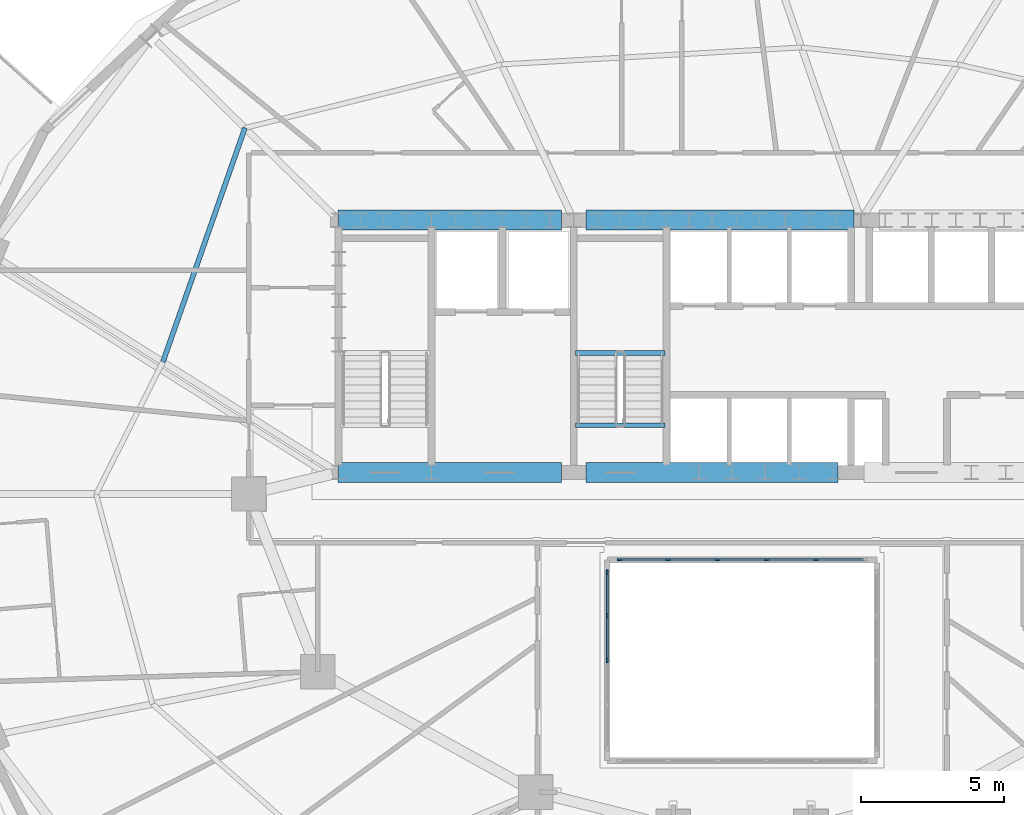
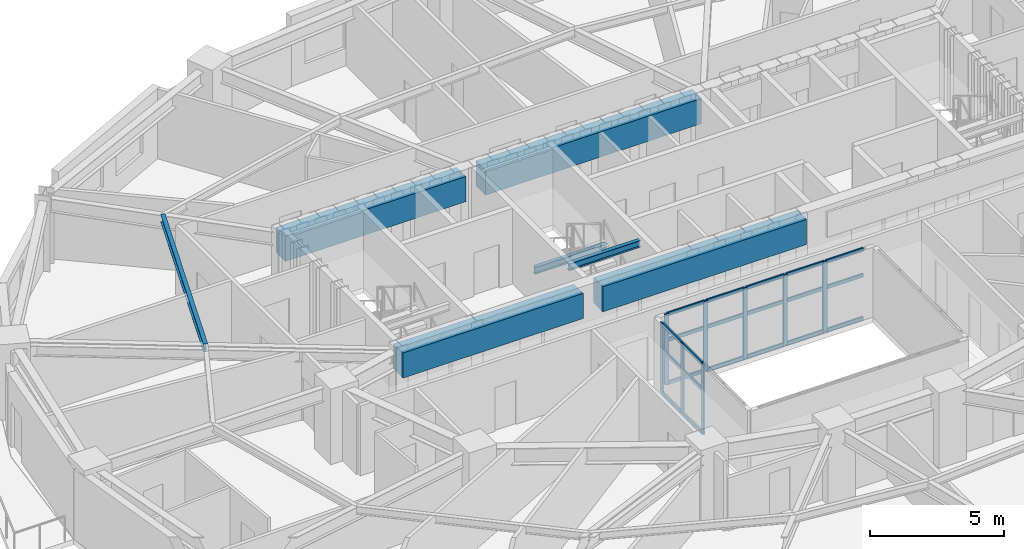
# One storey, part 3 of 14: 29 members, 7 beams, 2 elements without a shape of their own.
"""IFC4 building model written with IfcOpenShell, lengths in metres."""

from ifc_helpers import new_model, si_unit, direction, frame, origin, origin_2d, place, context, subcontext, project, spatial, rectangle, i_section, extrude, material, material_profile, profile_set, type_object, element, aggregate, save


model = new_model("IFC4")

# Units and contexts
model_context = context("Model", 3, precision=1e-05, world=origin(), true_north=direction((0.0, 1.0)))
body_context = subcontext(model_context, "Body", "Model", "MODEL_VIEW")
ifc_project = project(units=[si_unit("LENGTHUNIT", "METRE"), si_unit("AREAUNIT", "SQUARE_METRE"), si_unit("VOLUMEUNIT", "CUBIC_METRE"), si_unit("PLANEANGLEUNIT", "RADIAN"), si_unit("MASSUNIT", "GRAM", prefix="KILO")], contexts=[model_context])

# Site, building, storey
site_placement = place(None, origin())
site = spatial("IfcSite", under=ifc_project, at=site_placement, CompositionType="ELEMENT")
building_placement = place(site_placement, origin())
building = spatial("IfcBuilding", under=site, at=building_placement, Name="Haldorwick Loom Tower", CompositionType="ELEMENT")
storey_placement = place(building_placement, frame((0.0, 0.0, 95.60009765625)))
storey = spatial("IfcBuildingStorey", under=building, at=storey_placement, Name="L25", CompositionType="ELEMENT", Elevation=95.60009765625)

# Curtain wall, members
ifc_material_1 = material(Name="Thermally Broken Anodized Aluminium Curtain Wall Framing", Category="aluminium")
curtain_wall_type = type_object("IfcCurtainWallType", Name="ARC-CW-03", PredefinedType="NOTDEFINED", material=ifc_material_1)
curtain_wall_1_placement = place(storey_placement, origin())
curtain_wall_1 = element("IfcCurtainWall", 1, at=curtain_wall_1_placement, inside=storey, type_object=curtain_wall_type, Name="L25 Atrium Glazed Screen N", PredefinedType="NOTDEFINED")
ifc_material_profile_1 = material_profile(ifc_material_1, rectangle(XDim=0.06591796875, YDim=0.18505859375, at=origin_2d()), Name="ALU_MUL_66X185", Category="aluminium")
ifc_profile_set_1 = profile_set([ifc_material_profile_1], Name="Thermally Broken Anodized Aluminium Curtain Wall Framing")
member_type_1 = type_object("IfcMemberType", Name="ARC-CWM-03", PredefinedType="MULLION", material=ifc_profile_set_1)
member_1_placement = place(storey_placement, frame((31.73291015625, 23.699951171875, 0.0), z_axis=(0.0, 0.0, 1.0), x_axis=(0.0, 1.0, 0.0)))
member_1 = element("IfcMember", 2, at=member_1_placement, type_object=member_type_1, Name="CW-03 mullion 1", PredefinedType="MULLION", context=body_context, shape_type="SweptSolid", body=[
    extrude(rectangle(XDim=0.06591796875, YDim=0.18505859375, at=origin_2d()), origin(), (0.0, 0.0, 1.0), 3.2099609375),
])
member_2_placement = place(storey_placement, frame((33.419921875, 23.699951171875, 0.0), z_axis=(0.0, 0.0, 1.0), x_axis=(0.0, 1.0, 0.0)))
member_2 = element("IfcMember", 3, at=member_2_placement, type_object=member_type_1, Name="CW-03 mullion 2", PredefinedType="MULLION", context=body_context, shape_type="SweptSolid", body=[
    extrude(rectangle(XDim=0.06591796875, YDim=0.18505859375, at=origin_2d()), origin(), (0.0, 0.0, 1.0), 3.2099609375),
])
member_3_placement = place(storey_placement, frame((35.139892578125, 23.699951171875, 0.0), z_axis=(0.0, 0.0, 1.0), x_axis=(0.0, 1.0, 0.0)))
member_3 = element("IfcMember", 4, at=member_3_placement, type_object=member_type_1, Name="CW-03 mullion 3", PredefinedType="MULLION", context=body_context, shape_type="SweptSolid", body=[
    extrude(rectangle(XDim=0.06591796875, YDim=0.18505859375, at=origin_2d()), origin(), (0.0, 0.0, 1.0), 3.2099609375),
])
member_4_placement = place(storey_placement, frame((36.860107421875, 23.699951171875, 0.0), z_axis=(0.0, 0.0, 1.0), x_axis=(0.0, 1.0, 0.0)))
member_4 = element("IfcMember", 5, at=member_4_placement, type_object=member_type_1, Name="CW-03 mullion 4", PredefinedType="MULLION", context=body_context, shape_type="SweptSolid", body=[
    extrude(rectangle(XDim=0.06591796875, YDim=0.18505859375, at=origin_2d()), origin(), (0.0, 0.0, 1.0), 3.2099609375),
])
member_5_placement = place(storey_placement, frame((38.580078125, 23.699951171875, 0.0), z_axis=(0.0, 0.0, 1.0), x_axis=(0.0, 1.0, 0.0)))
member_5 = element("IfcMember", 6, at=member_5_placement, type_object=member_type_1, Name="CW-03 mullion 5", PredefinedType="MULLION", context=body_context, shape_type="SweptSolid", body=[
    extrude(rectangle(XDim=0.06591796875, YDim=0.18505859375, at=origin_2d()), origin(), (0.0, 0.0, 1.0), 3.2099609375),
])

curtain_wall_2_placement = place(storey_placement, origin())
curtain_wall_2 = element("IfcCurtainWall", 7, at=curtain_wall_2_placement, inside=storey, type_object=curtain_wall_type, Name="L25 Atrium Glazed Screen W", PredefinedType="NOTDEFINED")
member_6_placement = place(storey_placement, frame((31.300048828125, 20.199951171875, 0.0), z_axis=(0.0, 0.0, 1.0), x_axis=(-1.0, 0.0, 0.0)))
member_6 = element("IfcMember", 8, at=member_6_placement, type_object=member_type_1, Name="CW-03 mullion 3", PredefinedType="MULLION", context=body_context, shape_type="SweptSolid", body=[
    extrude(rectangle(XDim=0.06591796875, YDim=0.18505859375, at=origin_2d()), origin(), (0.0, 0.0, 1.0), 3.2099609375),
])
member_7_placement = place(storey_placement, frame((31.300048828125, 21.75, 0.0), z_axis=(0.0, 0.0, 1.0), x_axis=(-1.0, 0.0, 0.0)))
member_7 = element("IfcMember", 9, at=member_7_placement, type_object=member_type_1, Name="CW-03 mullion 4", PredefinedType="MULLION", context=body_context, shape_type="SweptSolid", body=[
    extrude(rectangle(XDim=0.06591796875, YDim=0.18505859375, at=origin_2d()), origin(), (0.0, 0.0, 1.0), 3.2099609375),
])
member_8_placement = place(storey_placement, frame((31.300048828125, 23.26708984375, 0.0), z_axis=(0.0, 0.0, 1.0), x_axis=(-1.0, 0.0, 0.0)))
member_8 = element("IfcMember", 10, at=member_8_placement, type_object=member_type_1, Name="CW-03 mullion 5", PredefinedType="MULLION", context=body_context, shape_type="SweptSolid", body=[
    extrude(rectangle(XDim=0.06591796875, YDim=0.18505859375, at=origin_2d()), origin(), (0.0, 0.0, 1.0), 3.2099609375),
])

# Member
ifc_material_profile_2 = material_profile(ifc_material_1, rectangle(XDim=0.06591796875, YDim=0.1650390625, at=origin_2d()), Name="ALU_TRN_66X165", Category="aluminium")
ifc_profile_set_2 = profile_set([ifc_material_profile_2], Name="Thermally Broken Anodized Aluminium Curtain Wall Framing")
member_type_2 = type_object("IfcMemberType", Name="ARC-CWT-03", PredefinedType="USERDEFINED", material=ifc_profile_set_2)
member_9_placement = place(storey_placement, frame((31.76611328125, 23.699951171875, 0.032958984375), z_axis=(1.0, 0.0, 0.0), x_axis=(0.0, 1.0, 0.0)))
member_9 = element("IfcMember", 11, at=member_9_placement, type_object=member_type_2, Name="CW-03 transom 1.1", ObjectType="TRANSOM", PredefinedType="USERDEFINED", context=body_context, shape_type="SweptSolid", body=[
    extrude(rectangle(XDim=0.06591796875, YDim=0.1650390625, at=origin_2d()), origin(), (0.0, 0.0, 1.0), 1.620849609375),
])

member_10_placement = place(storey_placement, frame((31.76611328125, 23.699951171875, 2.0), z_axis=(1.0, 0.0, 0.0), x_axis=(0.0, 1.0, 0.0)))
member_10 = element("IfcMember", 12, at=member_10_placement, type_object=member_type_2, Name="CW-03 transom 1.2", ObjectType="TRANSOM", PredefinedType="USERDEFINED", context=body_context, shape_type="SweptSolid", body=[
    extrude(rectangle(XDim=0.06591796875, YDim=0.1650390625, at=origin_2d()), origin(), (0.0, 0.0, 1.0), 1.620849609375),
])

member_11_placement = place(storey_placement, frame((31.76611328125, 23.699951171875, 3.177001953125), z_axis=(1.0, 0.0, 0.0), x_axis=(0.0, 1.0, 0.0)))
member_11 = element("IfcMember", 13, at=member_11_placement, type_object=member_type_2, Name="CW-03 transom 1.3", ObjectType="TRANSOM", PredefinedType="USERDEFINED", context=body_context, shape_type="SweptSolid", body=[
    extrude(rectangle(XDim=0.06591796875, YDim=0.1650390625, at=origin_2d()), origin(), (0.0, 0.0, 1.0), 1.620849609375),
])

member_12_placement = place(storey_placement, frame((33.452880859375, 23.699951171875, 0.032958984375), z_axis=(1.0, 0.0, 0.0), x_axis=(0.0, 1.0, 0.0)))
member_12 = element("IfcMember", 14, at=member_12_placement, type_object=member_type_2, Name="CW-03 transom 2.1", ObjectType="TRANSOM", PredefinedType="USERDEFINED", context=body_context, shape_type="SweptSolid", body=[
    extrude(rectangle(XDim=0.06591796875, YDim=0.1650390625, at=origin_2d()), origin(), (0.0, 0.0, 1.0), 1.654052734375),
])

member_13_placement = place(storey_placement, frame((33.452880859375, 23.699951171875, 2.0), z_axis=(1.0, 0.0, 0.0), x_axis=(0.0, 1.0, 0.0)))
member_13 = element("IfcMember", 15, at=member_13_placement, type_object=member_type_2, Name="CW-03 transom 2.2", ObjectType="TRANSOM", PredefinedType="USERDEFINED", context=body_context, shape_type="SweptSolid", body=[
    extrude(rectangle(XDim=0.06591796875, YDim=0.1650390625, at=origin_2d()), origin(), (0.0, 0.0, 1.0), 1.654052734375),
])

member_14_placement = place(storey_placement, frame((33.452880859375, 23.699951171875, 3.177001953125), z_axis=(1.0, 0.0, 0.0), x_axis=(0.0, 1.0, 0.0)))
member_14 = element("IfcMember", 16, at=member_14_placement, type_object=member_type_2, Name="CW-03 transom 2.3", ObjectType="TRANSOM", PredefinedType="USERDEFINED", context=body_context, shape_type="SweptSolid", body=[
    extrude(rectangle(XDim=0.06591796875, YDim=0.1650390625, at=origin_2d()), origin(), (0.0, 0.0, 1.0), 1.654052734375),
])

member_15_placement = place(storey_placement, frame((35.173095703125, 23.699951171875, 0.032958984375), z_axis=(1.0, 0.0, 0.0), x_axis=(0.0, 1.0, 0.0)))
member_15 = element("IfcMember", 17, at=member_15_placement, type_object=member_type_2, Name="CW-03 transom 3.1", ObjectType="TRANSOM", PredefinedType="USERDEFINED", context=body_context, shape_type="SweptSolid", body=[
    extrude(rectangle(XDim=0.06591796875, YDim=0.1650390625, at=origin_2d()), origin(), (0.0, 0.0, 1.0), 1.65380859375),
])

member_16_placement = place(storey_placement, frame((35.173095703125, 23.699951171875, 2.0), z_axis=(1.0, 0.0, 0.0), x_axis=(0.0, 1.0, 0.0)))
member_16 = element("IfcMember", 18, at=member_16_placement, type_object=member_type_2, Name="CW-03 transom 3.2", ObjectType="TRANSOM", PredefinedType="USERDEFINED", context=body_context, shape_type="SweptSolid", body=[
    extrude(rectangle(XDim=0.06591796875, YDim=0.1650390625, at=origin_2d()), origin(), (0.0, 0.0, 1.0), 1.65380859375),
])

member_17_placement = place(storey_placement, frame((35.173095703125, 23.699951171875, 3.177001953125), z_axis=(1.0, 0.0, 0.0), x_axis=(0.0, 1.0, 0.0)))
member_17 = element("IfcMember", 19, at=member_17_placement, type_object=member_type_2, Name="CW-03 transom 3.3", ObjectType="TRANSOM", PredefinedType="USERDEFINED", context=body_context, shape_type="SweptSolid", body=[
    extrude(rectangle(XDim=0.06591796875, YDim=0.1650390625, at=origin_2d()), origin(), (0.0, 0.0, 1.0), 1.65380859375),
])

member_18_placement = place(storey_placement, frame((36.89306640625, 23.699951171875, 0.032958984375), z_axis=(1.0, 0.0, 0.0), x_axis=(0.0, 1.0, 0.0)))
member_18 = element("IfcMember", 20, at=member_18_placement, type_object=member_type_2, Name="CW-03 transom 4.1", ObjectType="TRANSOM", PredefinedType="USERDEFINED", context=body_context, shape_type="SweptSolid", body=[
    extrude(rectangle(XDim=0.06591796875, YDim=0.1650390625, at=origin_2d()), origin(), (0.0, 0.0, 1.0), 1.654052734375),
])

member_19_placement = place(storey_placement, frame((36.89306640625, 23.699951171875, 2.0), z_axis=(1.0, 0.0, 0.0), x_axis=(0.0, 1.0, 0.0)))
member_19 = element("IfcMember", 21, at=member_19_placement, type_object=member_type_2, Name="CW-03 transom 4.2", ObjectType="TRANSOM", PredefinedType="USERDEFINED", context=body_context, shape_type="SweptSolid", body=[
    extrude(rectangle(XDim=0.06591796875, YDim=0.1650390625, at=origin_2d()), origin(), (0.0, 0.0, 1.0), 1.654052734375),
])

member_20_placement = place(storey_placement, frame((36.89306640625, 23.699951171875, 3.177001953125), z_axis=(1.0, 0.0, 0.0), x_axis=(0.0, 1.0, 0.0)))
member_20 = element("IfcMember", 22, at=member_20_placement, type_object=member_type_2, Name="CW-03 transom 4.3", ObjectType="TRANSOM", PredefinedType="USERDEFINED", context=body_context, shape_type="SweptSolid", body=[
    extrude(rectangle(XDim=0.06591796875, YDim=0.1650390625, at=origin_2d()), origin(), (0.0, 0.0, 1.0), 1.654052734375),
])

member_21_placement = place(storey_placement, frame((38.613037109375, 23.699951171875, 0.032958984375), z_axis=(1.0, 0.0, 0.0), x_axis=(0.0, 1.0, 0.0)))
member_21 = element("IfcMember", 23, at=member_21_placement, type_object=member_type_2, Name="CW-03 transom 5.1", ObjectType="TRANSOM", PredefinedType="USERDEFINED", context=body_context, shape_type="SweptSolid", body=[
    extrude(rectangle(XDim=0.06591796875, YDim=0.1650390625, at=origin_2d()), origin(), (0.0, 0.0, 1.0), 1.620849609375),
])

member_22_placement = place(storey_placement, frame((38.613037109375, 23.699951171875, 2.0), z_axis=(1.0, 0.0, 0.0), x_axis=(0.0, 1.0, 0.0)))
member_22 = element("IfcMember", 24, at=member_22_placement, type_object=member_type_2, Name="CW-03 transom 5.2", ObjectType="TRANSOM", PredefinedType="USERDEFINED", context=body_context, shape_type="SweptSolid", body=[
    extrude(rectangle(XDim=0.06591796875, YDim=0.1650390625, at=origin_2d()), origin(), (0.0, 0.0, 1.0), 1.620849609375),
])

member_23_placement = place(storey_placement, frame((38.613037109375, 23.699951171875, 3.177001953125), z_axis=(1.0, 0.0, 0.0), x_axis=(0.0, 1.0, 0.0)))
member_23 = element("IfcMember", 25, at=member_23_placement, type_object=member_type_2, Name="CW-03 transom 5.3", ObjectType="TRANSOM", PredefinedType="USERDEFINED", context=body_context, shape_type="SweptSolid", body=[
    extrude(rectangle(XDim=0.06591796875, YDim=0.1650390625, at=origin_2d()), origin(), (0.0, 0.0, 1.0), 1.620849609375),
])

aggregate(curtain_wall_1, [member_1, member_2, member_3, member_4, member_5, member_9, member_10, member_11, member_12, member_13, member_14, member_15, member_16, member_17, member_18, member_19, member_20, member_21, member_22, member_23])

member_24_placement = place(storey_placement, frame((31.300048828125, 20.23291015625, 0.032958984375), z_axis=(0.0, 1.0, 0.0), x_axis=(-1.0, 0.0, 0.0)))
member_24 = element("IfcMember", 26, at=member_24_placement, type_object=member_type_2, Name="CW-03 transom 3.1", ObjectType="TRANSOM", PredefinedType="USERDEFINED", context=body_context, shape_type="SweptSolid", body=[
    extrude(rectangle(XDim=0.06591796875, YDim=0.1650390625, at=origin_2d()), origin(), (0.0, 0.0, 1.0), 1.484130859375),
])

member_25_placement = place(storey_placement, frame((31.300048828125, 20.23291015625, 2.0), z_axis=(0.0, 1.0, 0.0), x_axis=(-1.0, 0.0, 0.0)))
member_25 = element("IfcMember", 27, at=member_25_placement, type_object=member_type_2, Name="CW-03 transom 3.2", ObjectType="TRANSOM", PredefinedType="USERDEFINED", context=body_context, shape_type="SweptSolid", body=[
    extrude(rectangle(XDim=0.06591796875, YDim=0.1650390625, at=origin_2d()), origin(), (0.0, 0.0, 1.0), 1.484130859375),
])

member_26_placement = place(storey_placement, frame((31.300048828125, 20.23291015625, 3.177001953125), z_axis=(0.0, 1.0, 0.0), x_axis=(-1.0, 0.0, 0.0)))
member_26 = element("IfcMember", 28, at=member_26_placement, type_object=member_type_2, Name="CW-03 transom 3.3", ObjectType="TRANSOM", PredefinedType="USERDEFINED", context=body_context, shape_type="SweptSolid", body=[
    extrude(rectangle(XDim=0.06591796875, YDim=0.1650390625, at=origin_2d()), origin(), (0.0, 0.0, 1.0), 1.484130859375),
])

member_27_placement = place(storey_placement, frame((31.300048828125, 21.782958984375, 0.032958984375), z_axis=(0.0, 1.0, 0.0), x_axis=(-1.0, 0.0, 0.0)))
member_27 = element("IfcMember", 29, at=member_27_placement, type_object=member_type_2, Name="CW-03 transom 4.1", ObjectType="TRANSOM", PredefinedType="USERDEFINED", context=body_context, shape_type="SweptSolid", body=[
    extrude(rectangle(XDim=0.06591796875, YDim=0.1650390625, at=origin_2d()), origin(), (0.0, 0.0, 1.0), 1.450927734375),
])

member_28_placement = place(storey_placement, frame((31.300048828125, 21.782958984375, 2.0), z_axis=(0.0, 1.0, 0.0), x_axis=(-1.0, 0.0, 0.0)))
member_28 = element("IfcMember", 30, at=member_28_placement, type_object=member_type_2, Name="CW-03 transom 4.2", ObjectType="TRANSOM", PredefinedType="USERDEFINED", context=body_context, shape_type="SweptSolid", body=[
    extrude(rectangle(XDim=0.06591796875, YDim=0.1650390625, at=origin_2d()), origin(), (0.0, 0.0, 1.0), 1.450927734375),
])

member_29_placement = place(storey_placement, frame((31.300048828125, 21.782958984375, 3.177001953125), z_axis=(0.0, 1.0, 0.0), x_axis=(-1.0, 0.0, 0.0)))
member_29 = element("IfcMember", 31, at=member_29_placement, type_object=member_type_2, Name="CW-03 transom 4.3", ObjectType="TRANSOM", PredefinedType="USERDEFINED", context=body_context, shape_type="SweptSolid", body=[
    extrude(rectangle(XDim=0.06591796875, YDim=0.1650390625, at=origin_2d()), origin(), (0.0, 0.0, 1.0), 1.450927734375),
])

aggregate(curtain_wall_2, [member_6, member_7, member_8, member_24, member_25, member_26, member_27, member_28, member_29])

# Beams
ifc_material_2 = material(Name="Concrete C60 (60 MPa)", Category="concrete")
ifc_material_profile_3 = material_profile(ifc_material_2, rectangle(XDim=0.699951171875, YDim=1.14990234375, at=origin_2d()), Name="RC700X1150", Category="concrete")
ifc_profile_set_3 = profile_set([ifc_material_profile_3], Name="Concrete C60 (60 MPa)")
beam_type_1 = type_object("IfcBeamType", Name="STR-BM-CB1150", PredefinedType="LINTEL", material=ifc_profile_set_3)
beam_1_placement = place(storey_placement, frame((21.89990234375, 35.550048828125, 2.635009765625), z_axis=(1.0, 0.0, 0.0), x_axis=(0.0, 1.0, 0.0)))
element("IfcBeam", 32, at=beam_1_placement, inside=storey, type_object=beam_type_1, Name="L25 Core Coupling Beam CB-N1", PredefinedType="LINTEL", context=body_context, shape_type="SweptSolid", body=[
    extrude(rectangle(XDim=0.699951171875, YDim=1.14990234375, at=origin_2d()), origin(), (0.0, 0.0, 1.0), 7.800048828125),
])
beam_2_placement = place(storey_placement, frame((30.550048828125, 35.550048828125, 2.635009765625), z_axis=(1.0, 0.0, 0.0), x_axis=(0.0, 1.0, 0.0)))
element("IfcBeam", 33, at=beam_2_placement, inside=storey, type_object=beam_type_1, Name="L25 Core Coupling Beam CB-N2", PredefinedType="LINTEL", context=body_context, shape_type="SweptSolid", body=[
    extrude(rectangle(XDim=0.699951171875, YDim=1.14990234375, at=origin_2d()), origin(), (0.0, 0.0, 1.0), 9.349853515625),
])
beam_3_placement = place(storey_placement, frame((21.89990234375, 26.75, 2.635009765625), z_axis=(1.0, 0.0, 0.0), x_axis=(0.0, 1.0, 0.0)))
element("IfcBeam", 34, at=beam_3_placement, inside=storey, type_object=beam_type_1, Name="L25 Core Coupling Beam CB-S1", PredefinedType="LINTEL", context=body_context, shape_type="SweptSolid", body=[
    extrude(rectangle(XDim=0.699951171875, YDim=1.14990234375, at=origin_2d()), origin(), (0.0, 0.0, 1.0), 7.800048828125),
])
beam_4_placement = place(storey_placement, frame((30.550048828125, 26.75, 2.635009765625), z_axis=(1.0, 0.0, 0.0), x_axis=(0.0, 1.0, 0.0)))
element("IfcBeam", 35, at=beam_4_placement, inside=storey, type_object=beam_type_1, Name="L25 Core Coupling Beam CB-S2", PredefinedType="LINTEL", context=body_context, shape_type="SweptSolid", body=[
    extrude(rectangle(XDim=0.699951171875, YDim=1.14990234375, at=origin_2d()), origin(), (0.0, 0.0, 1.0), 8.800048828125),
])
ifc_material_3 = material(Name="Steel CSA G40.21 350W", Category="steel")
ifc_material_profile_4 = material_profile(ifc_material_3, i_section(OverallWidth=0.172119140625, OverallDepth=0.35791015625, WebThickness=0.0078125, FlangeThickness=0.01318359375, at=origin_2d()), Name="W360X57", Category="steel")
ifc_profile_set_4 = profile_set([ifc_material_profile_4], Name="Steel CSA G40.21 350W")
beam_type_2 = type_object("IfcBeamType", Name="STR-BM-J360", PredefinedType="JOIST", material=ifc_profile_set_4)
beam_5_placement = place(storey_placement, frame((18.66162109375, 38.765869140625, 3.031005859375), z_axis=(-0.330864603503, -0.943678236556, 0.0), x_axis=(0.943678236556, -0.330864603503, 0.0)))
element("IfcBeam", 36, at=beam_5_placement, inside=storey, type_object=beam_type_2, Name="L25 Mid-Bay Secondary Joist 7", PredefinedType="JOIST", context=body_context, shape_type="SweptSolid", body=[
    extrude(i_section(OverallWidth=0.172119140625, OverallDepth=0.35791015625, WebThickness=0.0078125, FlangeThickness=0.01318359375, at=origin_2d()), origin(), (0.0, 0.0, 1.0), 8.6494140625),
])
ifc_material_profile_5 = material_profile(ifc_material_3, i_section(OverallWidth=0.166015625, OverallDepth=0.31298828125, WebThickness=0.006591796875, FlangeThickness=0.01123046875, at=origin_2d()), Name="W310X45", Category="steel")
ifc_profile_set_5 = profile_set([ifc_material_profile_5], Name="Steel CSA G40.21 350W")
beam_type_3 = type_object("IfcBeamType", Name="STR-BM-STRM", PredefinedType="BEAM", material=ifc_profile_set_5)
for number, where, z_axis, x_axis, name in (
    (37, (30.18994140625, 28.39990234375, 3.053466796875), (1.0, 0.0, 0.0), (0.0, 1.0, 0.0), "L25 Stair ST-03 Landing Edge Trimmer"),
    (38, (30.18994140625, 30.919921875, 1.368408203125), (1.0, 0.0, 0.0), (0.0, 1.0, 0.0), "L25 Stair ST-03 Half-Landing Trimmer 1"),
):
    element("IfcBeam", number, at=place(storey_placement, frame(where, z_axis=z_axis, x_axis=x_axis)), inside=storey, type_object=beam_type_3, Name=name, PredefinedType="BEAM", context=body_context, shape_type="SweptSolid", body=[
        extrude(i_section(OverallWidth=0.166015625, OverallDepth=0.31298828125, WebThickness=0.006591796875, FlangeThickness=0.01123046875, at=origin_2d()), origin(), (0.0, 0.0, 1.0), 3.1201171875),
    ])

save(model, "model.ifc")
